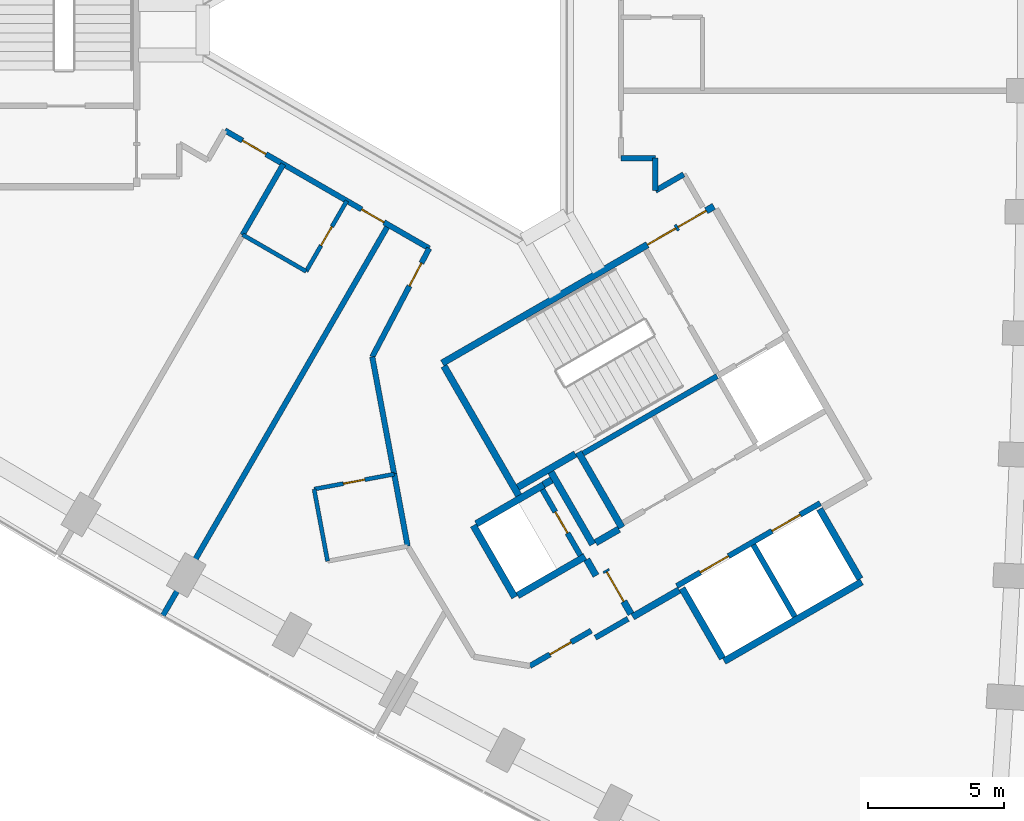
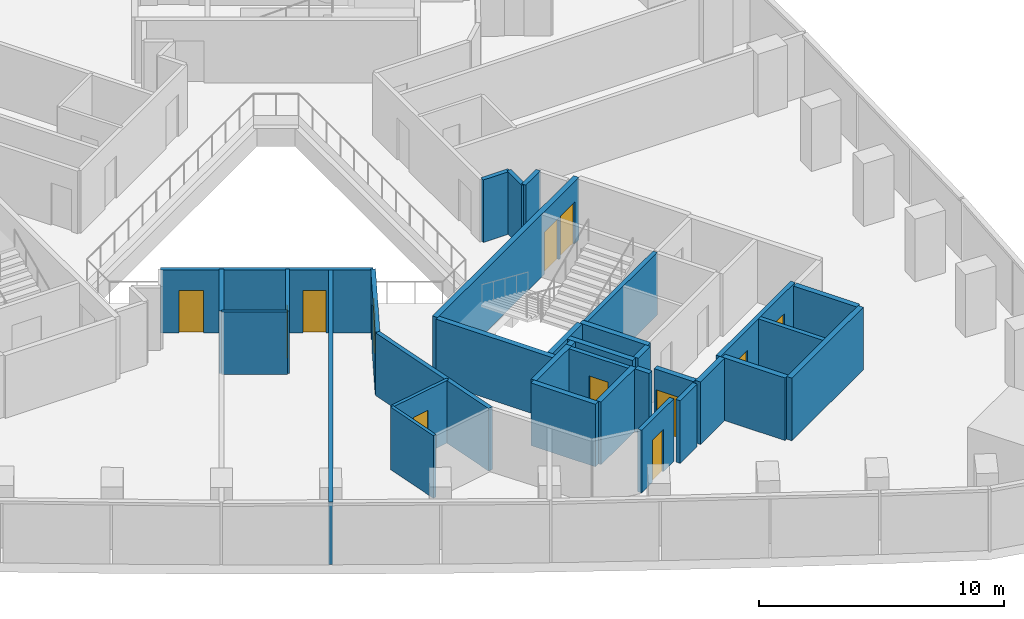
# One storey, part 8 of 13: 35 walls, 12 doors, 12 openings.
"""IFC4 building model written with IfcOpenShell, lengths in metres."""

import ifcopenshell
import ifcopenshell.guid

model = None  # the IFC model being written
_history = None  # IfcOwnerHistory: only IFC2X3 demands one
_inside = {}  # id of a spatial element -> (the spatial element, [elements in it])
_under = {}  # id of a project, library or spatial element -> (it, [spatial elements below it])
_declared = {}  # id of a project -> (the project, [libraries it declares])
_typed = {}  # id of a type object -> (the type object, [elements of that type])
_made_of = {}  # id of a material, layer set ... -> (it, [elements and type objects made of it])


def new_model(schema):
    """Start an empty IFC model of exactly this schema.

    Asked for "IFC4X3", IfcOpenShell would pick the latest addendum, in which some entities
    have other attributes; the version numbers below select the first issue.
    IFC2X3 requires an IfcOwnerHistory on every rooted entity: one is made here for all.
    """
    global model, _history
    if schema == "IFC4X3":
        model = ifcopenshell.file(schema_version=(4, 3, 0, 0))
    else:
        model = ifcopenshell.file(schema=schema)
    _inside.clear()
    _under.clear()
    _declared.clear()
    _typed.clear()
    _made_of.clear()
    _history = None
    if model.schema == "IFC2X3":
        org = make("IfcOrganization", Name="unknown")
        user = make(
            "IfcPersonAndOrganization",
            ThePerson=make("IfcPerson", FamilyName="unknown"),
            TheOrganization=org,
        )
        app = make(
            "IfcApplication",
            ApplicationDeveloper=org,
            Version="unknown",
            ApplicationFullName="unknown",
            ApplicationIdentifier="unknown",
        )
        _history = make(
            "IfcOwnerHistory",
            OwningUser=user,
            OwningApplication=app,
            ChangeAction="ADDED",
            CreationDate=0,
        )
    return model


def make(cls, **values):
    """One entity of the class cls with the attributes given. An attribute that is None is left unset."""
    return model.create_entity(
        cls, **{name: value for name, value in values.items() if value is not None}
    )


def rooted(cls, **values):
    """An entity with a GlobalId (a new one), such as an element, a storey or a relation."""
    return make(cls, GlobalId=ifcopenshell.guid.new(), OwnerHistory=_history, **values)


def si_unit(unit_type, name, prefix=None):
    """IfcSIUnit, for example si_unit("LENGTHUNIT", "METRE", prefix="MILLI")."""
    return make("IfcSIUnit", UnitType=unit_type, Prefix=prefix, Name=name)


def assignment(units):
    """IfcUnitAssignment: the units of a project."""
    return None if units is None else make("IfcUnitAssignment", Units=units)


def point(xyz):
    """IfcCartesianPoint."""
    return None if xyz is None else make("IfcCartesianPoint", Coordinates=xyz)


def direction(xyz):
    """IfcDirection."""
    return None if xyz is None else make("IfcDirection", DirectionRatios=xyz)


def frame(location, z_axis=None, x_axis=None):
    """IfcAxis2Placement3D, a coordinate frame: its origin and axes. An axis left out is left unset."""
    return make(
        "IfcAxis2Placement3D",
        Location=point(location),
        Axis=direction(z_axis),
        RefDirection=direction(x_axis),
    )


def frame_2d(location, x_axis=None):
    """IfcAxis2Placement2D, a coordinate frame in the plane: its origin and x axis."""
    return make(
        "IfcAxis2Placement2D", Location=point(location), RefDirection=direction(x_axis)
    )


def origin():
    """The frame at (0, 0, 0) with its axes left unset."""
    return frame((0.0, 0.0, 0.0))


def place(relative_to, where):
    """IfcLocalPlacement: puts the frame where relative to a parent placement (None: the world)."""
    return make(
        "IfcLocalPlacement", PlacementRelTo=relative_to, RelativePlacement=where
    )


def context(
    kind, dimensions, precision=None, world=None, true_north=None, identifier=None
):
    """IfcGeometricRepresentationContext, for example the 3D "Model" context."""
    return make(
        "IfcGeometricRepresentationContext",
        ContextIdentifier=identifier,
        ContextType=kind,
        CoordinateSpaceDimension=dimensions,
        Precision=precision,
        WorldCoordinateSystem=world,
        TrueNorth=true_north,
    )


def subcontext(parent, identifier, kind, view, scale=None):
    """IfcGeometricRepresentationSubContext, for example "Body" below "Model"."""
    return make(
        "IfcGeometricRepresentationSubContext",
        ContextIdentifier=identifier,
        ContextType=kind,
        ParentContext=parent,
        TargetScale=scale,
        TargetView=view,
    )


def project(units=None, contexts=None):
    """IfcProject with its units and contexts."""
    return rooted(
        "IfcProject",
        Name="project",
        RepresentationContexts=contexts,
        UnitsInContext=assignment(units),
    )


def spatial(cls, under=None, at=None, **own):
    """A site, building, storey or space (cls), placed at a placement, below another one or the project."""
    s = rooted(cls, ObjectPlacement=at, **own)
    if under is not None:
        _under.setdefault(under.id(), (under, []))[1].append(s)
    return s


def profile(cls, at=None, kind="AREA", **sizes):
    """A parametric profile (cls). Its sizes go by their IFC names, for example OverallWidth=200.0."""
    return make(cls, ProfileType=kind, Position=at, **sizes)


def rectangle(**sizes):
    """IfcRectangleProfileDef."""
    return profile("IfcRectangleProfileDef", **sizes)


def extrude(swept, where, along, depth):
    """IfcExtrudedAreaSolid: the profile swept, set in the frame where, extruded along a direction by depth."""
    return make(
        "IfcExtrudedAreaSolid",
        SweptArea=swept,
        Position=where,
        ExtrudedDirection=direction(along),
        Depth=depth,
    )


def shape(context_of_items, identifier, shape_type, items):
    """IfcShapeRepresentation: the items that make up one representation, for example the "Body"."""
    return make(
        "IfcShapeRepresentation",
        ContextOfItems=context_of_items,
        RepresentationIdentifier=identifier,
        RepresentationType=shape_type,
        Items=items,
    )


def material(Name=None, Category=None):
    """IfcMaterial."""
    return make("IfcMaterial", Name=Name, Category=Category)


def layer(
    of_material, thickness, ventilated=None, Name=None, Category=None, Priority=None
):
    """IfcMaterialLayer: one layer of a wall or slab, of a material (None: an air gap)."""
    return make(
        "IfcMaterialLayer",
        Material=of_material,
        LayerThickness=thickness,
        IsVentilated=ventilated,
        Name=Name,
        Category=Category,
        Priority=Priority,
    )


def layer_set(layers, Name=None):
    """IfcMaterialLayerSet."""
    return make("IfcMaterialLayerSet", MaterialLayers=layers, LayerSetName=Name)


def made_of(thing, what):
    """Note that an element or type object is made of a material, layer set ...; save() writes the relation."""
    if what is not None:
        _made_of.setdefault(what.id(), (what, []))[1].append(thing)
    return thing


def type_object(cls, material=None, **own):
    """A type object (cls), such as IfcWallType, which elements share."""
    return made_of(rooted(cls, **own), material)


def element(
    cls,
    number,
    at=None,
    inside=None,
    cuts=None,
    type_object=None,
    material=None,
    context=None,
    identifier="Body",
    shape_type=None,
    held_by="IfcProductDefinitionShape",
    body=None,
    shapes=None,
    **own,
):
    """One element of the class cls, such as IfcWall. Its Tag is "e" and its number.

    at: its placement. inside: the storey or other place that contains it. cuts: it is an
    opening in that element (IfcRelVoidsElement). A single representation is given by context,
    identifier, shape_type and body (its items); several are given by shapes. held_by: the class
    of the entity that holds the representations. save() writes the other relations.
    """
    e = rooted(cls, Tag="e%d" % number, ObjectPlacement=at, **own)
    if body is not None:
        shapes = [shape(context, identifier, shape_type, body)]
    if shapes is not None:
        e.Representation = make(held_by, Representations=shapes)
    if inside is not None:
        _inside.setdefault(inside.id(), (inside, []))[1].append(e)
    if cuts is not None:
        rooted(
            "IfcRelVoidsElement", RelatingBuildingElement=cuts, RelatedOpeningElement=e
        )
    if type_object is not None:
        _typed.setdefault(type_object.id(), (type_object, []))[1].append(e)
    return made_of(e, material)


def fill(opening, filler):
    """IfcRelFillsElement: the door or window that sits in an opening."""
    return rooted(
        "IfcRelFillsElement",
        RelatingOpeningElement=opening,
        RelatedBuildingElement=filler,
    )


def aggregate(whole, parts):
    """IfcRelAggregates: a whole, such as a stair, and the parts it consists of."""
    return rooted("IfcRelAggregates", RelatingObject=whole, RelatedObjects=parts)


def save(model, path):
    """Write the relations noted so far, then the file.

    IfcRelAggregates (storeys below a building ...), IfcRelContainedInSpatialStructure (elements
    in a storey), IfcRelDefinesByType, IfcRelAssociatesMaterial and IfcRelDeclares: one each for
    every whole, place, type object, material and project.
    """
    for whole, parts in _under.values():
        aggregate(whole, parts)
    for where, things in _inside.values():
        rooted(
            "IfcRelContainedInSpatialStructure",
            RelatedElements=things,
            RelatingStructure=where,
        )
    for kind, things in _typed.values():
        rooted("IfcRelDefinesByType", RelatedObjects=things, RelatingType=kind)
    for what, things in _made_of.values():
        rooted("IfcRelAssociatesMaterial", RelatedObjects=things, RelatingMaterial=what)
    for by, libraries in _declared.values():
        rooted("IfcRelDeclares", RelatingContext=by, RelatedDefinitions=libraries)
    model.write(path)


model = new_model("IFC4")

# Units and contexts
model_context = context("Model", 3, precision=1e-05, world=origin(), true_north=direction((0.0, 1.0)))
body_context = subcontext(model_context, "Body", "Model", "MODEL_VIEW")
ifc_project = project(units=[si_unit("LENGTHUNIT", "METRE"), si_unit("AREAUNIT", "SQUARE_METRE"), si_unit("VOLUMEUNIT", "CUBIC_METRE"), si_unit("PLANEANGLEUNIT", "RADIAN"), si_unit("MASSUNIT", "GRAM", prefix="KILO")], contexts=[model_context])

# Site, building, storey
site_placement = place(None, origin())
site = spatial("IfcSite", under=ifc_project, at=site_placement, CompositionType="ELEMENT")
building_placement = place(site_placement, origin())
building = spatial("IfcBuilding", under=site, at=building_placement, Name="Tamra Quay Hotel Tower", CompositionType="ELEMENT")
storey_placement = place(building_placement, frame((0.0, 0.0, 38.60009765625)))
storey = spatial("IfcBuildingStorey", under=building, at=storey_placement, Name="L07", CompositionType="ELEMENT", Elevation=38.60009765625)

# Wall, openings, doors
ifc_material_1 = material(Name="Concrete M70", Category="concrete")
ifc_layer_1 = layer(ifc_material_1, 0.199951171875)
ifc_layer_set_1 = layer_set([ifc_layer_1], Name="Concrete M70 core wall 200")
wall_type_1 = type_object("IfcWallType", Name="Concrete M70 core wall 200", PredefinedType="SHEAR", material=ifc_layer_set_1)
wall_1_placement = place(storey_placement, frame((9.052490234375, -20.479736328125, 0.0), z_axis=(0.0, 0.0, 1.0), x_axis=(0.866030299012, 0.499991521122, 0.0)))
wall_1 = element("IfcWall", 1, at=wall_1_placement, inside=storey, type_object=wall_type_1, Name="CW2", PredefinedType="SHEAR", context=body_context, shape_type="SweptSolid", body=[
    extrude(rectangle(XDim=6.10009765625, YDim=0.199951171875, at=frame_2d((3.050048828125, 0.0))), origin(), (0.0, 0.0, 1.0), 3.125),
])
opening_1_placement = place(wall_1_placement, frame((1.0, 0.0, 0.0)))
opening_1 = element("IfcOpeningElement", 2, at=opening_1_placement, cuts=wall_1, Name="Opening LD", PredefinedType="OPENING", context=body_context, shape_type="SweptSolid", body=[
    extrude(rectangle(XDim=1.199951171875, YDim=2.10009765625, at=frame_2d((0.60009765625, 1.050048828125))), frame((0.0, 0.10986328125, 0.0), z_axis=(0.0, -1.0, 0.0), x_axis=(1.0, 0.0, 0.0)), (0.0, 0.0, 1.0), 0.219970703125),
])
opening_2_placement = place(wall_1_placement, frame((4.05029296875, 0.0, 0.0)))
opening_2 = element("IfcOpeningElement", 3, at=opening_2_placement, cuts=wall_1, Name="Opening LD", PredefinedType="OPENING", context=body_context, shape_type="SweptSolid", body=[
    extrude(rectangle(XDim=1.199951171875, YDim=2.10009765625, at=frame_2d((0.60009765625, 1.050048828125))), frame((0.0, 0.10986328125, 0.0), z_axis=(0.0, -1.0, 0.0), x_axis=(1.0, 0.0, 0.0)), (0.0, 0.0, 1.0), 0.219970703125),
])
ifc_material_2 = material(Name="Landing door LD 1200 double door sliding")
door_type_1 = type_object("IfcDoorType", Name="Landing door LD 1200 double door sliding", OperationType="DOUBLE_DOOR_SLIDING", PredefinedType="DOOR", material=ifc_material_2)
door_1_placement = place(opening_1_placement, origin())
door_1 = element("IfcDoor", 4, at=door_1_placement, inside=storey, type_object=door_type_1, Name="LD", OperationType="DOUBLE_DOOR_SLIDING", OverallHeight=2.10009765625, OverallWidth=1.199951171875, PredefinedType="DOOR", context=body_context, shape_type="SweptSolid", body=[
    extrude(rectangle(XDim=1.199951171875, YDim=2.10009765625, at=frame_2d((0.60009765625, 1.050048828125))), frame((0.0, 0.02490234375, 0.0), z_axis=(0.0, -1.0, 0.0), x_axis=(1.0, 0.0, 0.0)), (0.0, 0.0, 1.0), 0.050048828125),
])
fill(opening_1, door_1)
door_2_placement = place(opening_2_placement, origin())
door_2 = element("IfcDoor", 5, at=door_2_placement, inside=storey, type_object=door_type_1, Name="LD", OperationType="DOUBLE_DOOR_SLIDING", OverallHeight=2.10009765625, OverallWidth=1.199951171875, PredefinedType="DOOR", context=body_context, shape_type="SweptSolid", body=[
    extrude(rectangle(XDim=1.199951171875, YDim=2.10009765625, at=frame_2d((0.60009765625, 1.050048828125))), frame((0.0, 0.02490234375, 0.0), z_axis=(0.0, -1.0, 0.0), x_axis=(1.0, 0.0, 0.0)), (0.0, 0.0, 1.0), 0.050048828125),
])
fill(opening_2, door_2)

# Walls
wall_2_placement = place(storey_placement, frame((10.537841796875, -12.751953125, 0.0), z_axis=(0.0, 0.0, 1.0), x_axis=(-0.866038630372, -0.499977090179, 0.0)))
element("IfcWall", 6, at=wall_2_placement, inside=storey, type_object=wall_type_1, Name="CW2", PredefinedType="SHEAR", context=body_context, shape_type="SweptSolid", body=[
    extrude(rectangle(XDim=5.698974609375, YDim=0.199951171875, at=frame_2d((2.849609375, 0.0))), origin(), (0.0, 0.0, 1.0), 3.125),
])
wall_3_placement = place(storey_placement, frame((11.87451171875, -18.967041015625, 0.0), z_axis=(0.0, 0.0, 1.0), x_axis=(0.49998131003, -0.866036194175, 0.0)))
element("IfcWall", 7, at=wall_3_placement, inside=storey, type_object=wall_type_1, Name="CW2", PredefinedType="SHEAR", context=body_context, shape_type="SweptSolid", body=[
    extrude(rectangle(XDim=3.0478515625, YDim=0.199951171875, at=frame_2d((1.52392578125, 0.0))), origin(), (0.0, 0.0, 1.0), 3.125),
])

# Wall, opening, door
wall_4_placement = place(storey_placement, frame((5.50341796875, -19.352294921875, 0.0), z_axis=(0.0, 0.0, 1.0), x_axis=(-0.499986818241, 0.866033014143, 0.0)))
wall_4 = element("IfcWall", 8, at=wall_4_placement, inside=storey, type_object=wall_type_1, Name="CW2", PredefinedType="SHEAR", context=body_context, shape_type="SweptSolid", body=[
    extrude(rectangle(XDim=2.7978515625, YDim=0.199951171875, at=frame_2d((1.39892578125, 0.0))), origin(), (0.0, 0.0, 1.0), 3.125),
])
opening_3_placement = place(wall_4_placement, frame((0.948974609375, 0.0, 0.0)))
opening_3 = element("IfcOpeningElement", 9, at=opening_3_placement, cuts=wall_4, Name="Opening D1", PredefinedType="OPENING", context=body_context, shape_type="SweptSolid", body=[
    extrude(rectangle(XDim=0.89990234375, YDim=2.10009765625, at=frame_2d((0.449951171875, 1.050048828125))), frame((0.0, 0.10986328125, 0.0), z_axis=(0.0, -1.0, 0.0), x_axis=(1.0, 0.0, 0.0)), (0.0, 0.0, 1.0), 0.219970703125),
])
ifc_material_3 = material(Name="Core door D1 900x2100 RH")
door_type_2 = type_object("IfcDoorType", Name="Core door D1 900x2100 RH", OperationType="NOTDEFINED", PredefinedType="DOOR", material=ifc_material_3)
door_3_placement = place(opening_3_placement, origin())
door_3 = element("IfcDoor", 10, at=door_3_placement, inside=storey, type_object=door_type_2, Name="D1", OperationType="SINGLE_SWING_RIGHT", OverallHeight=2.10009765625, OverallWidth=0.89990234375, PredefinedType="DOOR", context=body_context, shape_type="SweptSolid", body=[
    extrude(rectangle(XDim=0.89990234375, YDim=2.10009765625, at=frame_2d((0.449951171875, 1.050048828125))), frame((0.0, 0.02490234375, 0.0), z_axis=(0.0, -1.0, 0.0), x_axis=(1.0, 0.0, 0.0)), (0.0, 0.0, 1.0), 0.050048828125),
])
fill(opening_3, door_3)

# Wall, openings, doors
ifc_layer_2 = layer(ifc_material_1, 0.25)
ifc_layer_set_2 = layer_set([ifc_layer_2], Name="Concrete M70 core wall 250")
wall_type_2 = type_object("IfcWallType", Name="Concrete M70 core wall 250", PredefinedType="SHEAR", material=ifc_layer_set_2)
wall_5_placement = place(storey_placement, frame((0.417236328125, -12.27294921875, 0.0), z_axis=(0.0, 0.0, 1.0), x_axis=(0.866021906294, 0.500006057782, 0.0)))
wall_5 = element("IfcWall", 11, at=wall_5_placement, inside=storey, type_object=wall_type_2, Name="CW1", PredefinedType="SHEAR", context=body_context, shape_type="SweptSolid", body=[
    extrude(rectangle(XDim=11.550048828125, YDim=0.25, at=frame_2d((5.77490234375, 0.0))), origin(), (0.0, 0.0, 1.0), 3.125),
])
opening_4_placement = place(wall_5_placement, frame((10.024658203125, 0.0, 0.0)))
opening_4 = element("IfcOpeningElement", 12, at=opening_4_placement, cuts=wall_5, Name="Opening FD1", PredefinedType="OPENING", context=body_context, shape_type="SweptSolid", body=[
    extrude(rectangle(XDim=1.199951171875, YDim=2.10009765625, at=frame_2d((0.60009765625, 1.050048828125))), frame((0.0, 0.135009765625, 0.0), z_axis=(0.0, -1.0, 0.0), x_axis=(1.0, 0.0, 0.0)), (0.0, 0.0, 1.0), 0.27001953125),
])
opening_5_placement = place(wall_5_placement, frame((8.724609375, 0.0, 0.0)))
opening_5 = element("IfcOpeningElement", 13, at=opening_5_placement, cuts=wall_5, Name="Opening FD1", PredefinedType="OPENING", context=body_context, shape_type="SweptSolid", body=[
    extrude(rectangle(XDim=1.199951171875, YDim=2.10009765625, at=frame_2d((0.60009765625, 1.050048828125))), frame((0.0, 0.135009765625, 0.0), z_axis=(0.0, -1.0, 0.0), x_axis=(1.0, 0.0, 0.0)), (0.0, 0.0, 1.0), 0.27001953125),
])
ifc_material_4 = material(Name="Core door FD1 1200x2100 LH")
door_type_3 = type_object("IfcDoorType", Name="Core door FD1 1200x2100 LH", OperationType="NOTDEFINED", PredefinedType="DOOR", material=ifc_material_4)
door_4_placement = place(opening_4_placement, origin())
door_4 = element("IfcDoor", 14, at=door_4_placement, inside=storey, type_object=door_type_3, Name="FD1", OperationType="SINGLE_SWING_LEFT", OverallHeight=2.10009765625, OverallWidth=1.199951171875, PredefinedType="DOOR", context=body_context, shape_type="SweptSolid", body=[
    extrude(rectangle(XDim=1.199951171875, YDim=2.10009765625, at=frame_2d((0.60009765625, 1.050048828125))), frame((0.0, 0.02490234375, 0.0), z_axis=(0.0, -1.0, 0.0), x_axis=(1.0, 0.0, 0.0)), (0.0, 0.0, 1.0), 0.050048828125),
])
fill(opening_4, door_4)
ifc_material_5 = material(Name="Core door FD1 1200x2100 RH")
door_type_4 = type_object("IfcDoorType", Name="Core door FD1 1200x2100 RH", OperationType="NOTDEFINED", PredefinedType="DOOR", material=ifc_material_5)
door_5_placement = place(opening_5_placement, origin())
door_5 = element("IfcDoor", 15, at=door_5_placement, inside=storey, type_object=door_type_4, Name="FD1", OperationType="SINGLE_SWING_RIGHT", OverallHeight=2.10009765625, OverallWidth=1.199951171875, PredefinedType="DOOR", context=body_context, shape_type="SweptSolid", body=[
    extrude(rectangle(XDim=1.199951171875, YDim=2.10009765625, at=frame_2d((0.60009765625, 1.050048828125))), frame((0.0, 0.02490234375, 0.0), z_axis=(0.0, -1.0, 0.0), x_axis=(1.0, 0.0, 0.0)), (0.0, 0.0, 1.0), 0.050048828125),
])
fill(opening_5, door_5)

# Walls
wall_6_placement = place(storey_placement, frame((15.86474609375, -20.328369140625, 0.0), z_axis=(0.0, 0.0, 1.0), x_axis=(-0.86602852612, -0.499994591916, 0.0)))
element("IfcWall", 16, at=wall_6_placement, inside=storey, type_object=wall_type_2, Name="CW1", PredefinedType="SHEAR", context=body_context, shape_type="SweptSolid", body=[
    extrude(rectangle(XDim=5.85009765625, YDim=0.25, at=frame_2d((2.925048828125, 0.0))), origin(), (0.0, 0.0, 1.0), 3.125),
])
wall_7_placement = place(storey_placement, frame((3.23486328125, -17.15283203125, 0.0), z_axis=(0.0, 0.0, 1.0), x_axis=(-0.500008851346, 0.866020293397, 0.0)))
element("IfcWall", 17, at=wall_7_placement, inside=storey, type_object=wall_type_2, Name="CW1", PredefinedType="SHEAR", context=body_context, shape_type="SweptSolid", body=[
    extrude(rectangle(XDim=5.509765625, YDim=0.25, at=frame_2d((2.7548828125, 0.0))), origin(), (0.0, 0.0, 1.0), 3.125),
])
wall_8_placement = place(storey_placement, frame((7.030517578125, -18.327392578125, 0.0), z_axis=(0.0, 0.0, 1.0), x_axis=(-0.499971222258, 0.866042017984, 0.0)))
element("IfcWall", 18, at=wall_8_placement, inside=storey, type_object=wall_type_2, Name="CW1", PredefinedType="SHEAR", context=body_context, shape_type="SweptSolid", body=[
    extrude(rectangle(XDim=3.199951171875, YDim=0.25, at=frame_2d((1.60009765625, 0.0))), origin(), (0.0, 0.0, 1.0), 3.125),
])
for number, where, z_axis, x_axis, name in (
    (19, (14.314697265625, -17.643798828125, 0.0), (0.0, 0.0, 1.0), (0.500023226632, -0.866011993467, 0.0), "CW1"),
    (20, (10.73583984375, -23.144775390625, 0.0), (0.0, 0.0, 1.0), (-0.500023226632, 0.866011993467, 0.0), "CW1"),
):
    element("IfcWall", number, at=place(storey_placement, frame(where, z_axis=z_axis, x_axis=x_axis)), inside=storey, type_object=wall_type_2, Name=name, PredefinedType="SHEAR", context=body_context, shape_type="SweptSolid", body=[
        extrude(rectangle(XDim=2.974365234375, YDim=0.25, at=frame_2d((1.4873046875, 0.0))), origin(), (0.0, 0.0, 1.0), 3.125),
    ])
wall_9_placement = place(storey_placement, frame((3.085205078125, -20.893798828125, 0.0), z_axis=(0.0, 0.0, 1.0), x_axis=(-0.499978833458, 0.866037623948, 0.0)))
element("IfcWall", 21, at=wall_9_placement, inside=storey, type_object=wall_type_2, Name="CW1", PredefinedType="SHEAR", context=body_context, shape_type="SweptSolid", body=[
    extrude(rectangle(XDim=3.050048828125, YDim=0.25, at=frame_2d((1.52490234375, 0.0))), origin(), (0.0, 0.0, 1.0), 3.125),
])
wall_10_placement = place(storey_placement, frame((1.6689453125, -18.189697265625, 0.0), z_axis=(0.0, 0.0, 1.0), x_axis=(0.866042235819, 0.499970844928, 0.0)))
element("IfcWall", 22, at=wall_10_placement, inside=storey, type_object=wall_type_2, Name="CW1", PredefinedType="SHEAR", context=body_context, shape_type="SweptSolid", body=[
    extrude(rectangle(XDim=2.864501953125, YDim=0.25, at=frame_2d((1.43212890625, 0.0))), origin(), (0.0, 0.0, 1.0), 3.125),
])
wall_11_placement = place(storey_placement, frame((5.6748046875, -19.39892578125, 0.0), z_axis=(0.0, 0.0, 1.0), x_axis=(-0.866026637627, -0.499997862916, 0.0)))
element("IfcWall", 23, at=wall_11_placement, inside=storey, type_object=wall_type_2, Name="CW1", PredefinedType="SHEAR", context=body_context, shape_type="SweptSolid", body=[
    extrude(rectangle(XDim=2.86474609375, YDim=0.25, at=frame_2d((1.432373046875, 0.0))), origin(), (0.0, 0.0, 1.0), 3.125),
])
wall_12_placement = place(storey_placement, frame((4.414306640625, -16.275634765625, 0.0), z_axis=(0.0, 0.0, 1.0), x_axis=(0.500003324108, -0.866023484601, 0.0)))
element("IfcWall", 24, at=wall_12_placement, inside=storey, type_object=wall_type_2, Name="CW1", PredefinedType="SHEAR", context=body_context, shape_type="SweptSolid", body=[
    extrude(rectangle(XDim=3.0849609375, YDim=0.25, at=frame_2d((1.54248046875, 0.0))), origin(), (0.0, 0.0, 1.0), 3.125),
])
wall_13_placement = place(storey_placement, frame((5.322021484375, -15.618896484375, 0.0), z_axis=(0.0, 0.0, 1.0), x_axis=(-0.866026229868, -0.499998569178, 0.0)))
element("IfcWall", 25, at=wall_13_placement, inside=storey, type_object=wall_type_2, Name="CW1", PredefinedType="SHEAR", context=body_context, shape_type="SweptSolid", body=[
    extrude(rectangle(XDim=2.44921875, YDim=0.25, at=frame_2d((1.224609375, 0.0))), origin(), (0.0, 0.0, 1.0), 3.125),
])
wall_14_placement = place(storey_placement, frame((9.139892578125, -20.63134765625, 0.0), z_axis=(0.0, 0.0, 1.0), x_axis=(-0.866043531843, -0.499968599967, 0.0)))
element("IfcWall", 26, at=wall_14_placement, inside=storey, type_object=wall_type_2, Name="CW1", PredefinedType="SHEAR", context=body_context, shape_type="SweptSolid", body=[
    extrude(rectangle(XDim=1.974853515625, YDim=0.25, at=frame_2d((0.9873046875, 0.0))), origin(), (0.0, 0.0, 1.0), 3.125),
])

# Wall, opening, door
wall_15_placement = place(storey_placement, frame((7.3671875, -21.51025390625, 0.0), z_axis=(0.0, 0.0, 1.0), x_axis=(-0.499983108224, 0.866035156036, 0.0)))
wall_15 = element("IfcWall", 27, at=wall_15_placement, inside=storey, type_object=wall_type_2, Name="CW1", PredefinedType="SHEAR", context=body_context, shape_type="SweptSolid", body=[
    extrude(rectangle(XDim=1.86474609375, YDim=0.25, at=frame_2d((0.932373046875, 0.0))), origin(), (0.0, 0.0, 1.0), 3.125),
])
opening_6_placement = place(wall_15_placement, frame((0.53466796875, 0.0, 0.0)))
opening_6 = element("IfcOpeningElement", 28, at=opening_6_placement, cuts=wall_15, Name="Opening FD3", PredefinedType="OPENING", context=body_context, shape_type="SweptSolid", body=[
    extrude(rectangle(XDim=1.25, YDim=2.10009765625, at=frame_2d((0.625, 1.050048828125))), frame((0.0, 0.135009765625, 0.0), z_axis=(0.0, -1.0, 0.0), x_axis=(1.0, 0.0, 0.0)), (0.0, 0.0, 1.0), 0.27001953125),
])
ifc_material_6 = material(Name="Core door FD3 1250x2100 LH")
door_type_5 = type_object("IfcDoorType", Name="Core door FD3 1250x2100 LH", OperationType="NOTDEFINED", PredefinedType="DOOR", material=ifc_material_6)
door_6_placement = place(opening_6_placement, origin())
door_6 = element("IfcDoor", 29, at=door_6_placement, inside=storey, type_object=door_type_5, Name="FD3", OperationType="SINGLE_SWING_LEFT", OverallHeight=2.10009765625, OverallWidth=1.25, PredefinedType="DOOR", context=body_context, shape_type="SweptSolid", body=[
    extrude(rectangle(XDim=1.25, YDim=2.10009765625, at=frame_2d((0.625, 1.050048828125))), frame((0.0, 0.02490234375, 0.0), z_axis=(0.0, -1.0, 0.0), x_axis=(1.0, 0.0, 0.0)), (0.0, 0.0, 1.0), 0.050048828125),
])
fill(opening_6, door_6)

# Walls
wall_16_placement = place(storey_placement, frame((6.0654296875, -18.884765625, 0.0), z_axis=(0.0, 0.0, 1.0), x_axis=(0.866017078145, 0.500014420154, 0.0)))
element("IfcWall", 30, at=wall_16_placement, inside=storey, type_object=wall_type_2, Name="CW1", PredefinedType="SHEAR", context=body_context, shape_type="SweptSolid", body=[
    extrude(rectangle(XDim=0.9892578125, YDim=0.25, at=frame_2d((0.49462890625, 0.0))), origin(), (0.0, 0.0, 1.0), 3.125),
])
wall_17_placement = place(storey_placement, frame((6.07958984375, -20.100341796875, 0.0), z_axis=(0.0, 0.0, 1.0), x_axis=(-0.500051773299, 0.865995510393, 0.0)))
element("IfcWall", 31, at=wall_17_placement, inside=storey, type_object=wall_type_2, Name="CW1", PredefinedType="SHEAR", context=body_context, shape_type="SweptSolid", body=[
    extrude(rectangle(XDim=0.6845703125, YDim=0.25, at=frame_2d((0.34228515625, 0.0))), origin(), (0.0, 0.0, 1.0), 3.125),
])
wall_18_placement = place(storey_placement, frame((4.144775390625, -16.748779296875, 0.0), z_axis=(0.0, 0.0, 1.0), x_axis=(0.866185586049, 0.49972245349, 0.0)))
element("IfcWall", 32, at=wall_18_placement, inside=storey, type_object=wall_type_2, Name="CW1", PredefinedType="SHEAR", context=body_context, shape_type="SweptSolid", body=[
    extrude(rectangle(XDim=0.344482421875, YDim=0.25, at=frame_2d((0.17236328125, 0.0))), origin(), (0.0, 0.0, 1.0), 3.125),
])

# Wall, openings, doors
ifc_material_7 = material(Name="Partition corridor wall")
ifc_layer_3 = layer(ifc_material_7, 0.199951171875)
ifc_layer_set_3 = layer_set([ifc_layer_3], Name="Partition corridor wall")
wall_type_3 = type_object("IfcWallType", Name="Partition corridor wall", PredefinedType="PARTITIONING", material=ifc_layer_set_3)
wall_19_placement = place(storey_placement, frame((-7.589111328125, -3.701904296875, 0.0), z_axis=(0.0, 0.0, 1.0), x_axis=(0.865995139556, -0.500052415518, 0.0)))
wall_19 = element("IfcWall", 33, at=wall_19_placement, inside=storey, type_object=wall_type_3, Name="W-C", PredefinedType="PARTITIONING", context=body_context, shape_type="SweptSolid", body=[
    extrude(rectangle(XDim=8.68896484375, YDim=0.199951171875, at=frame_2d((4.344482421875, 0.0))), origin(), (0.0, 0.0, 1.0), 3.125),
])
opening_7_placement = place(wall_19_placement, frame((0.748779296875, 0.0, 0.0)))
opening_7 = element("IfcOpeningElement", 34, at=opening_7_placement, cuts=wall_19, Name="Opening L07-D014", PredefinedType="OPENING", context=body_context, shape_type="SweptSolid", body=[
    extrude(rectangle(XDim=1.0, YDim=2.10009765625, at=frame_2d((0.5, 1.050048828125))), frame((0.0, 0.10986328125, 0.0), z_axis=(0.0, -1.0, 0.0), x_axis=(1.0, 0.0, 0.0)), (0.0, 0.0, 1.0), 0.219970703125),
])
opening_8_placement = place(wall_19_placement, frame((5.818603515625, 0.0, 0.0)))
opening_8 = element("IfcOpeningElement", 35, at=opening_8_placement, cuts=wall_19, Name="Opening L07-D015", PredefinedType="OPENING", context=body_context, shape_type="SweptSolid", body=[
    extrude(rectangle(XDim=0.949951171875, YDim=2.10009765625, at=frame_2d((0.47509765625, 1.050048828125))), frame((0.0, 0.10986328125, 0.0), z_axis=(0.0, -1.0, 0.0), x_axis=(1.0, 0.0, 0.0)), (0.0, 0.0, 1.0), 0.219970703125),
])
ifc_material_8 = material(Name="Door guest room 1000x2100")
door_type_6 = type_object("IfcDoorType", Name="Door guest room 1000x2100", OperationType="NOTDEFINED", PredefinedType="DOOR", material=ifc_material_8)
door_7_placement = place(opening_7_placement, frame((1.0, 0.0, 0.0), z_axis=(0.0, 0.0, 1.0), x_axis=(-1.0, 0.0, 0.0)))
door_7 = element("IfcDoor", 36, at=door_7_placement, inside=storey, type_object=door_type_6, Name="L07-D014", OperationType="SINGLE_SWING_LEFT", OverallHeight=2.10009765625, OverallWidth=1.0, PredefinedType="DOOR", context=body_context, shape_type="SweptSolid", body=[
    extrude(rectangle(XDim=1.0, YDim=2.10009765625, at=frame_2d((0.5, 1.050048828125))), frame((0.0, 0.02490234375, 0.0), z_axis=(0.0, -1.0, 0.0), x_axis=(1.0, 0.0, 0.0)), (0.0, 0.0, 1.0), 0.050048828125),
])
fill(opening_7, door_7)
ifc_material_9 = material(Name="Door guest room 950x2100")
door_type_7 = type_object("IfcDoorType", Name="Door guest room 950x2100", OperationType="NOTDEFINED", PredefinedType="DOOR", material=ifc_material_9)
door_8_placement = place(opening_8_placement, frame((0.949951171875, 0.0, 0.0), z_axis=(0.0, 0.0, 1.0), x_axis=(-1.0, 0.0, 0.0)))
door_8 = element("IfcDoor", 37, at=door_8_placement, inside=storey, type_object=door_type_7, Name="L07-D015", OperationType="SINGLE_SWING_LEFT", OverallHeight=2.10009765625, OverallWidth=0.949951171875, PredefinedType="DOOR", context=body_context, shape_type="SweptSolid", body=[
    extrude(rectangle(XDim=0.949951171875, YDim=2.10009765625, at=frame_2d((0.47509765625, 1.050048828125))), frame((0.0, 0.02490234375, 0.0), z_axis=(0.0, -1.0, 0.0), x_axis=(1.0, 0.0, 0.0)), (0.0, 0.0, 1.0), 0.050048828125),
])
fill(opening_8, door_8)

# Wall
wall_20_placement = place(storey_placement, frame((-2.162109375, -12.0419921875, 0.0), z_axis=(0.0, 0.0, 1.0), x_axis=(0.183846917521, -0.982954887529, 0.0)))
element("IfcWall", 38, at=wall_20_placement, inside=storey, type_object=wall_type_3, Name="W-C", PredefinedType="PARTITIONING", context=body_context, shape_type="SweptSolid", body=[
    extrude(rectangle(XDim=4.40625, YDim=0.199951171875, at=frame_2d((2.203125, 0.0))), origin(), (0.0, 0.0, 1.0), 3.125),
])

# Wall, opening, door
wall_21_placement = place(storey_placement, frame((-2.162109375, -12.041015625, 0.0), z_axis=(0.0, 0.0, 1.0), x_axis=(0.464956890881, 0.885333321197, 0.0)))
wall_21 = element("IfcWall", 39, at=wall_21_placement, inside=storey, type_object=wall_type_3, Name="W-C", PredefinedType="PARTITIONING", context=body_context, shape_type="SweptSolid", body=[
    extrude(rectangle(XDim=4.512451171875, YDim=0.199951171875, at=frame_2d((2.25634765625, 0.0))), origin(), (0.0, 0.0, 1.0), 3.125),
])
opening_9_placement = place(wall_21_placement, frame((2.949951171875, 0.0, 0.0)))
opening_9 = element("IfcOpeningElement", 40, at=opening_9_placement, cuts=wall_21, Name="Opening L07-D017", PredefinedType="OPENING", context=body_context, shape_type="SweptSolid", body=[
    extrude(rectangle(XDim=0.949951171875, YDim=2.10009765625, at=frame_2d((0.47509765625, 1.050048828125))), frame((0.0, 0.10986328125, 0.0), z_axis=(0.0, -1.0, 0.0), x_axis=(1.0, 0.0, 0.0)), (0.0, 0.0, 1.0), 0.219970703125),
])
door_9_placement = place(opening_9_placement, origin())
door_9 = element("IfcDoor", 41, at=door_9_placement, inside=storey, type_object=door_type_7, Name="L07-D017", OperationType="SINGLE_SWING_LEFT", OverallHeight=2.10009765625, OverallWidth=0.949951171875, PredefinedType="DOOR", context=body_context, shape_type="SweptSolid", body=[
    extrude(rectangle(XDim=0.949951171875, YDim=2.10009765625, at=frame_2d((0.47509765625, 1.050048828125))), frame((0.0, 0.02490234375, 0.0), z_axis=(0.0, -1.0, 0.0), x_axis=(1.0, 0.0, 0.0)), (0.0, 0.0, 1.0), 0.050048828125),
])
fill(opening_9, door_9)

# Wall
wall_22_placement = place(storey_placement, frame((-1.35595703125, -16.34912109375, 0.0), z_axis=(0.0, 0.0, 1.0), x_axis=(0.183652540949, -0.982991222852, 0.0)))
element("IfcWall", 42, at=wall_22_placement, inside=storey, type_object=wall_type_3, Name="W-C", PredefinedType="PARTITIONING", context=body_context, shape_type="SweptSolid", body=[
    extrude(rectangle(XDim=2.7119140625, YDim=0.199951171875, at=frame_2d((1.35595703125, 0.0))), origin(), (0.0, 0.0, 1.0), 3.125),
])

# Wall, opening, door
wall_23_placement = place(storey_placement, frame((3.64306640625, -23.426025390625, 0.0), z_axis=(0.0, 0.0, 1.0), x_axis=(0.866654350985, 0.498909045738, 0.0)))
wall_23 = element("IfcWall", 43, at=wall_23_placement, inside=storey, type_object=wall_type_3, Name="W-C", PredefinedType="PARTITIONING", context=body_context, shape_type="SweptSolid", body=[
    extrude(rectangle(XDim=2.607666015625, YDim=0.199951171875, at=frame_2d((1.3037109375, 0.0))), origin(), (0.0, 0.0, 1.0), 3.125),
])
opening_10_placement = place(wall_23_placement, frame((0.85400390625, 0.0, 0.0)))
opening_10 = element("IfcOpeningElement", 44, at=opening_10_placement, cuts=wall_23, Name="Opening L07-D019", PredefinedType="OPENING", context=body_context, shape_type="SweptSolid", body=[
    extrude(rectangle(XDim=0.89990234375, YDim=2.10009765625, at=frame_2d((0.449951171875, 1.050048828125))), frame((0.0, 0.10986328125, 0.0), z_axis=(0.0, -1.0, 0.0), x_axis=(1.0, 0.0, 0.0)), (0.0, 0.0, 1.0), 0.219970703125),
])
ifc_material_10 = material(Name="Door service room 900x2100")
door_type_8 = type_object("IfcDoorType", Name="Door service room 900x2100", OperationType="NOTDEFINED", PredefinedType="DOOR", material=ifc_material_10)
door_10_placement = place(opening_10_placement, frame((0.89990234375, 0.0, 0.0), z_axis=(0.0, 0.0, 1.0), x_axis=(-1.0, 0.0, 0.0)))
door_10 = element("IfcDoor", 45, at=door_10_placement, inside=storey, type_object=door_type_8, Name="L07-D019", OperationType="SINGLE_SWING_LEFT", OverallHeight=2.10009765625, OverallWidth=0.89990234375, PredefinedType="DOOR", context=body_context, shape_type="SweptSolid", body=[
    extrude(rectangle(XDim=0.89990234375, YDim=2.10009765625, at=frame_2d((0.449951171875, 1.050048828125))), frame((0.0, 0.02490234375, 0.0), z_axis=(0.0, -1.0, 0.0), x_axis=(1.0, 0.0, 0.0)), (0.0, 0.0, 1.0), 0.050048828125),
])
fill(opening_10, door_10)

# Walls
wall_24_placement = place(storey_placement, frame((6.053955078125, -22.385009765625, 0.0), z_axis=(0.0, 0.0, 1.0), x_axis=(0.86593101922, 0.500163443238, 0.0)))
element("IfcWall", 46, at=wall_24_placement, inside=storey, type_object=wall_type_3, Name="W-C", PredefinedType="PARTITIONING", context=body_context, shape_type="SweptSolid", body=[
    extrude(rectangle(XDim=1.3896484375, YDim=0.199951171875, at=frame_2d((0.69482421875, 0.0))), origin(), (0.0, 0.0, 1.0), 3.125),
])
wall_25_placement = place(storey_placement, frame((7.0, -4.720947265625, 0.0), z_axis=(0.0, 0.0, 1.0), x_axis=(1.0, 0.0, 0.0)))
element("IfcWall", 47, at=wall_25_placement, inside=storey, type_object=wall_type_3, Name="W-C", PredefinedType="PARTITIONING", context=body_context, shape_type="SweptSolid", body=[
    extrude(rectangle(XDim=1.26806640625, YDim=0.199951171875, at=frame_2d((0.634033203125, 0.0))), origin(), (0.0, 0.0, 1.0), 3.125),
])
wall_26_placement = place(storey_placement, frame((8.26806640625, -5.9208984375, 0.0), z_axis=(0.0, 0.0, 1.0), x_axis=(0.0, 1.0, 0.0)))
element("IfcWall", 48, at=wall_26_placement, inside=storey, type_object=wall_type_3, Name="W-C", PredefinedType="PARTITIONING", context=body_context, shape_type="SweptSolid", body=[
    extrude(rectangle(XDim=1.199951171875, YDim=0.199951171875, at=frame_2d((0.60009765625, 0.0))), origin(), (0.0, 0.0, 1.0), 3.125),
])
wall_27_placement = place(storey_placement, frame((8.26806640625, -5.9208984375, 0.0), z_axis=(0.0, 0.0, 1.0), x_axis=(0.866344856625, 0.499446282797, 0.0)))
element("IfcWall", 49, at=wall_27_placement, inside=storey, type_object=wall_type_3, Name="W-C", PredefinedType="PARTITIONING", context=body_context, shape_type="SweptSolid", body=[
    extrude(rectangle(XDim=1.198974609375, YDim=0.199951171875, at=frame_2d((0.599609375, 0.0))), origin(), (0.0, 0.0, 1.0), 3.125),
])
ifc_material_11 = material(Name="Partition en-suite wall")
ifc_layer_4 = layer(ifc_material_11, 0.14990234375)
ifc_layer_set_4 = layer_set([ifc_layer_4], Name="Partition en-suite wall")
wall_type_4 = type_object("IfcWallType", Name="Partition en-suite wall", PredefinedType="PARTITIONING", material=ifc_layer_set_4)
wall_28_placement = place(storey_placement, frame((-6.93603515625, -7.54296875, 0.0), z_axis=(0.0, 0.0, 1.0), x_axis=(0.866087748728, -0.49989199984, 0.0)))
element("IfcWall", 50, at=wall_28_placement, inside=storey, type_object=wall_type_4, Name="W-E", PredefinedType="PARTITIONING", context=body_context, shape_type="SweptSolid", body=[
    extrude(rectangle(XDim=2.70068359375, YDim=0.14990234375, at=frame_2d((1.350341796875, 0.0))), origin(), (0.0, 0.0, 1.0), 3.125),
])

# Wall, opening, door
wall_29_placement = place(storey_placement, frame((-4.596923828125, -8.89306640625, 0.0), z_axis=(0.0, 0.0, 1.0), x_axis=(0.499745940409, 0.866172035478, 0.0)))
wall_29 = element("IfcWall", 51, at=wall_29_placement, inside=storey, type_object=wall_type_4, Name="W-E", PredefinedType="PARTITIONING", context=body_context, shape_type="SweptSolid", body=[
    extrude(rectangle(XDim=2.99951171875, YDim=0.14990234375, at=frame_2d((1.499755859375, 0.0))), origin(), (0.0, 0.0, 1.0), 3.125),
])
opening_11_placement = place(wall_29_placement, frame((1.099853515625, 0.0, 0.0)))
opening_11 = element("IfcOpeningElement", 52, at=opening_11_placement, cuts=wall_29, Name="Opening L07-D016", PredefinedType="OPENING", context=body_context, shape_type="SweptSolid", body=[
    extrude(rectangle(XDim=0.800048828125, YDim=2.10009765625, at=frame_2d((0.39990234375, 1.050048828125))), frame((0.0, 0.0849609375, 0.0), z_axis=(0.0, -1.0, 0.0), x_axis=(1.0, 0.0, 0.0)), (0.0, 0.0, 1.0), 0.169921875),
])
ifc_material_12 = material(Name="Door en-suite 800x2100")
door_type_9 = type_object("IfcDoorType", Name="Door en-suite 800x2100", OperationType="NOTDEFINED", PredefinedType="DOOR", material=ifc_material_12)
door_11_placement = place(opening_11_placement, origin())
door_11 = element("IfcDoor", 53, at=door_11_placement, inside=storey, type_object=door_type_9, Name="L07-D016", OperationType="SINGLE_SWING_LEFT", OverallHeight=2.10009765625, OverallWidth=0.800048828125, PredefinedType="DOOR", context=body_context, shape_type="SweptSolid", body=[
    extrude(rectangle(XDim=0.800048828125, YDim=2.10009765625, at=frame_2d((0.39990234375, 1.050048828125))), frame((0.0, 0.02490234375, 0.0), z_axis=(0.0, -1.0, 0.0), x_axis=(1.0, 0.0, 0.0)), (0.0, 0.0, 1.0), 0.050048828125),
])
fill(opening_11, door_11)

wall_30_placement = place(storey_placement, frame((-4.302978515625, -16.912109375, 0.0), z_axis=(0.0, 0.0, 1.0), x_axis=(0.982987155193, 0.183674311555, 0.0)))
wall_30 = element("IfcWall", 54, at=wall_30_placement, inside=storey, type_object=wall_type_4, Name="W-E", PredefinedType="PARTITIONING", context=body_context, shape_type="SweptSolid", body=[
    extrude(rectangle(XDim=3.0, YDim=0.14990234375, at=frame_2d((1.5, 0.0))), origin(), (0.0, 0.0, 1.0), 3.125),
])
opening_12_placement = place(wall_30_placement, frame((1.099609375, 0.0, 0.0)))
opening_12 = element("IfcOpeningElement", 55, at=opening_12_placement, cuts=wall_30, Name="Opening L07-D018", PredefinedType="OPENING", context=body_context, shape_type="SweptSolid", body=[
    extrude(rectangle(XDim=0.800048828125, YDim=2.10009765625, at=frame_2d((0.39990234375, 1.050048828125))), frame((0.0, 0.0849609375, 0.0), z_axis=(0.0, -1.0, 0.0), x_axis=(1.0, 0.0, 0.0)), (0.0, 0.0, 1.0), 0.169921875),
])
door_12_placement = place(opening_12_placement, origin())
door_12 = element("IfcDoor", 56, at=door_12_placement, inside=storey, type_object=door_type_9, Name="L07-D018", OperationType="SINGLE_SWING_LEFT", OverallHeight=2.10009765625, OverallWidth=0.800048828125, PredefinedType="DOOR", context=body_context, shape_type="SweptSolid", body=[
    extrude(rectangle(XDim=0.800048828125, YDim=2.10009765625, at=frame_2d((0.39990234375, 1.050048828125))), frame((0.0, 0.02490234375, 0.0), z_axis=(0.0, -1.0, 0.0), x_axis=(1.0, 0.0, 0.0)), (0.0, 0.0, 1.0), 0.050048828125),
])
fill(opening_12, door_12)

# Walls
wall_31_placement = place(storey_placement, frame((-4.302978515625, -16.912109375, 0.0), z_axis=(0.0, 0.0, 1.0), x_axis=(0.183753436081, -0.982972367225, 0.0)))
element("IfcWall", 57, at=wall_31_placement, inside=storey, type_object=wall_type_4, Name="W-E", PredefinedType="PARTITIONING", context=body_context, shape_type="SweptSolid", body=[
    extrude(rectangle(XDim=2.69970703125, YDim=0.14990234375, at=frame_2d((1.349853515625, 0.0))), origin(), (0.0, 0.0, 1.0), 3.125),
])
ifc_material_13 = material(Name="Partition party wall")
ifc_layer_5 = layer(ifc_material_13, 0.199951171875)
ifc_layer_set_5 = layer_set([ifc_layer_5], Name="Partition party wall")
wall_type_5 = type_object("IfcWallType", Name="Partition party wall", PredefinedType="PARTITIONING", material=ifc_layer_set_5)
wall_32_placement = place(storey_placement, frame((-9.870849609375, -21.5673828125, 0.0), z_axis=(0.0, 0.0, 1.0), x_axis=(0.500012909386, 0.866017950419, 0.0)))
element("IfcWall", 58, at=wall_32_placement, inside=storey, type_object=wall_type_5, Name="W-P", PredefinedType="PARTITIONING", context=body_context, shape_type="SweptSolid", body=[
    extrude(rectangle(XDim=16.61328125, YDim=0.199951171875, at=frame_2d((8.306640625, 0.0))), origin(), (0.0, 0.0, 1.0), 3.125),
])
wall_33_placement = place(storey_placement, frame((-6.94189453125, -7.552978515625, 0.0), z_axis=(0.0, 0.0, 1.0), x_axis=(0.500045262687, 0.865999269783, 0.0)))
element("IfcWall", 59, at=wall_33_placement, inside=storey, type_object=wall_type_5, Name="W-P", PredefinedType="PARTITIONING", context=body_context, shape_type="SweptSolid", body=[
    extrude(rectangle(XDim=3.011474609375, YDim=0.199951171875, at=frame_2d((1.505859375, 0.0))), origin(), (0.0, 0.0, 1.0), 3.125),
])

save(model, "model.ifc")
